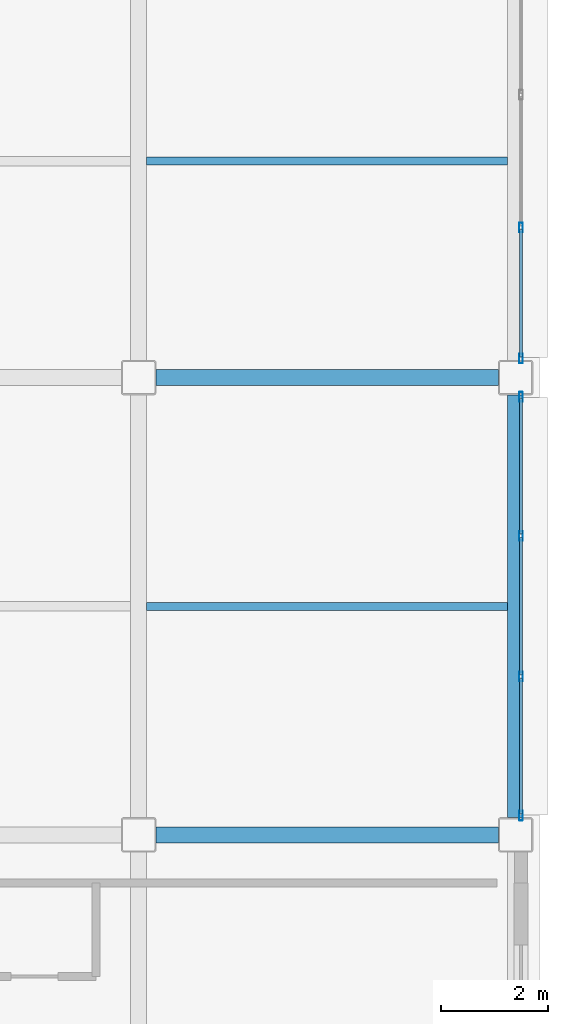
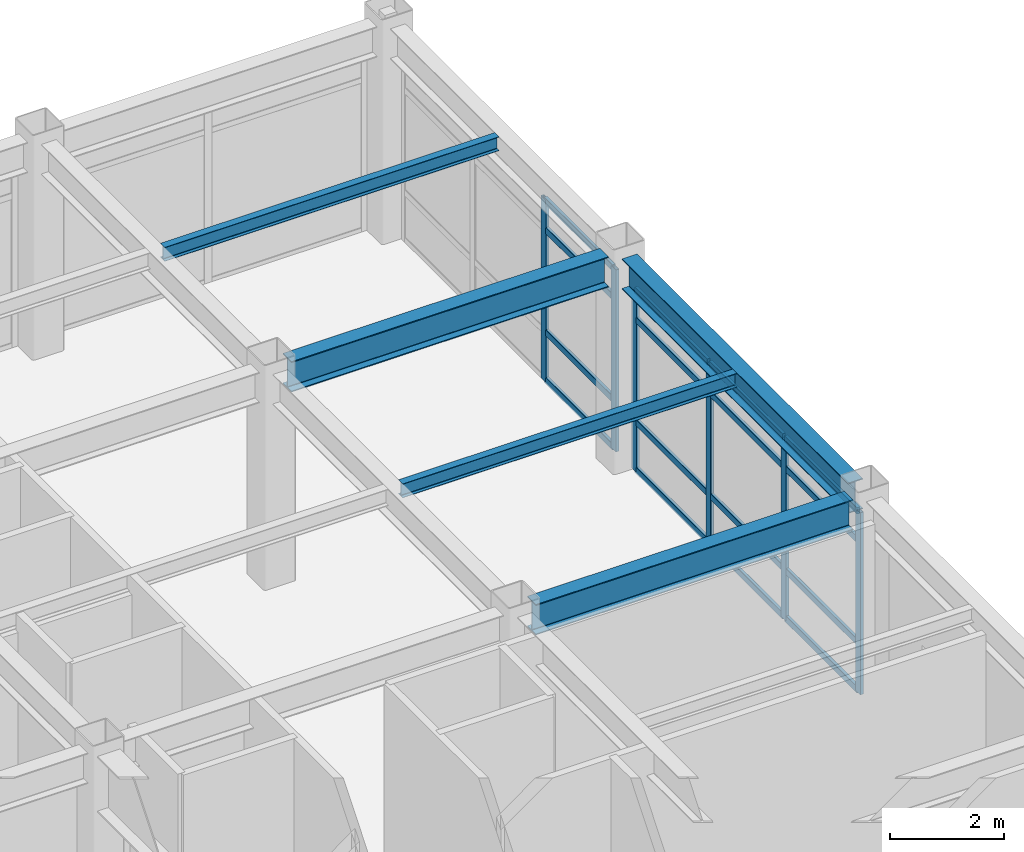
# One storey, part 63 of 93: 22 members, 5 beams, 2 elements without a shape of their own.
"""IFC4 building model written with IfcOpenShell, lengths in metres."""

import ifcopenshell
import ifcopenshell.guid

model = None  # the IFC model being written
_history = None  # IfcOwnerHistory: only IFC2X3 demands one
_inside = {}  # id of a spatial element -> (the spatial element, [elements in it])
_under = {}  # id of a project, library or spatial element -> (it, [spatial elements below it])
_declared = {}  # id of a project -> (the project, [libraries it declares])
_typed = {}  # id of a type object -> (the type object, [elements of that type])
_made_of = {}  # id of a material, layer set ... -> (it, [elements and type objects made of it])


def new_model(schema):
    """Start an empty IFC model of exactly this schema.

    Asked for "IFC4X3", IfcOpenShell would pick the latest addendum, in which some entities
    have other attributes; the version numbers below select the first issue.
    IFC2X3 requires an IfcOwnerHistory on every rooted entity: one is made here for all.
    """
    global model, _history
    if schema == "IFC4X3":
        model = ifcopenshell.file(schema_version=(4, 3, 0, 0))
    else:
        model = ifcopenshell.file(schema=schema)
    _inside.clear()
    _under.clear()
    _declared.clear()
    _typed.clear()
    _made_of.clear()
    _history = None
    if model.schema == "IFC2X3":
        org = make("IfcOrganization", Name="unknown")
        user = make(
            "IfcPersonAndOrganization",
            ThePerson=make("IfcPerson", FamilyName="unknown"),
            TheOrganization=org,
        )
        app = make(
            "IfcApplication",
            ApplicationDeveloper=org,
            Version="unknown",
            ApplicationFullName="unknown",
            ApplicationIdentifier="unknown",
        )
        _history = make(
            "IfcOwnerHistory",
            OwningUser=user,
            OwningApplication=app,
            ChangeAction="ADDED",
            CreationDate=0,
        )
    return model


def make(cls, **values):
    """One entity of the class cls with the attributes given. An attribute that is None is left unset."""
    return model.create_entity(
        cls, **{name: value for name, value in values.items() if value is not None}
    )


def rooted(cls, **values):
    """An entity with a GlobalId (a new one), such as an element, a storey or a relation."""
    return make(cls, GlobalId=ifcopenshell.guid.new(), OwnerHistory=_history, **values)


def si_unit(unit_type, name, prefix=None):
    """IfcSIUnit, for example si_unit("LENGTHUNIT", "METRE", prefix="MILLI")."""
    return make("IfcSIUnit", UnitType=unit_type, Prefix=prefix, Name=name)


def assignment(units):
    """IfcUnitAssignment: the units of a project."""
    return None if units is None else make("IfcUnitAssignment", Units=units)


def point(xyz):
    """IfcCartesianPoint."""
    return None if xyz is None else make("IfcCartesianPoint", Coordinates=xyz)


def direction(xyz):
    """IfcDirection."""
    return None if xyz is None else make("IfcDirection", DirectionRatios=xyz)


def frame(location, z_axis=None, x_axis=None):
    """IfcAxis2Placement3D, a coordinate frame: its origin and axes. An axis left out is left unset."""
    return make(
        "IfcAxis2Placement3D",
        Location=point(location),
        Axis=direction(z_axis),
        RefDirection=direction(x_axis),
    )


def frame_2d(location, x_axis=None):
    """IfcAxis2Placement2D, a coordinate frame in the plane: its origin and x axis."""
    return make(
        "IfcAxis2Placement2D", Location=point(location), RefDirection=direction(x_axis)
    )


def origin():
    """The frame at (0, 0, 0) with its axes left unset."""
    return frame((0.0, 0.0, 0.0))


def origin_2d():
    """The frame at (0, 0) in the plane with its x axis left unset."""
    return frame_2d((0.0, 0.0))


def place(relative_to, where):
    """IfcLocalPlacement: puts the frame where relative to a parent placement (None: the world)."""
    return make(
        "IfcLocalPlacement", PlacementRelTo=relative_to, RelativePlacement=where
    )


def context(
    kind, dimensions, precision=None, world=None, true_north=None, identifier=None
):
    """IfcGeometricRepresentationContext, for example the 3D "Model" context."""
    return make(
        "IfcGeometricRepresentationContext",
        ContextIdentifier=identifier,
        ContextType=kind,
        CoordinateSpaceDimension=dimensions,
        Precision=precision,
        WorldCoordinateSystem=world,
        TrueNorth=true_north,
    )


def subcontext(parent, identifier, kind, view, scale=None):
    """IfcGeometricRepresentationSubContext, for example "Body" below "Model"."""
    return make(
        "IfcGeometricRepresentationSubContext",
        ContextIdentifier=identifier,
        ContextType=kind,
        ParentContext=parent,
        TargetScale=scale,
        TargetView=view,
    )


def project(units=None, contexts=None):
    """IfcProject with its units and contexts."""
    return rooted(
        "IfcProject",
        Name="project",
        RepresentationContexts=contexts,
        UnitsInContext=assignment(units),
    )


def spatial(cls, under=None, at=None, **own):
    """A site, building, storey or space (cls), placed at a placement, below another one or the project."""
    s = rooted(cls, ObjectPlacement=at, **own)
    if under is not None:
        _under.setdefault(under.id(), (under, []))[1].append(s)
    return s


def profile(cls, at=None, kind="AREA", **sizes):
    """A parametric profile (cls). Its sizes go by their IFC names, for example OverallWidth=200.0."""
    return make(cls, ProfileType=kind, Position=at, **sizes)


def hollow_rectangle(**sizes):
    """IfcRectangleHollowProfileDef."""
    return profile("IfcRectangleHollowProfileDef", **sizes)


def i_section(**sizes):
    """IfcIShapeProfileDef."""
    return profile("IfcIShapeProfileDef", **sizes)


def extrude(swept, where, along, depth):
    """IfcExtrudedAreaSolid: the profile swept, set in the frame where, extruded along a direction by depth."""
    return make(
        "IfcExtrudedAreaSolid",
        SweptArea=swept,
        Position=where,
        ExtrudedDirection=direction(along),
        Depth=depth,
    )


def shape(context_of_items, identifier, shape_type, items):
    """IfcShapeRepresentation: the items that make up one representation, for example the "Body"."""
    return make(
        "IfcShapeRepresentation",
        ContextOfItems=context_of_items,
        RepresentationIdentifier=identifier,
        RepresentationType=shape_type,
        Items=items,
    )


def material(Name=None, Category=None):
    """IfcMaterial."""
    return make("IfcMaterial", Name=Name, Category=Category)


def layer(
    of_material, thickness, ventilated=None, Name=None, Category=None, Priority=None
):
    """IfcMaterialLayer: one layer of a wall or slab, of a material (None: an air gap)."""
    return make(
        "IfcMaterialLayer",
        Material=of_material,
        LayerThickness=thickness,
        IsVentilated=ventilated,
        Name=Name,
        Category=Category,
        Priority=Priority,
    )


def layer_set(layers, Name=None):
    """IfcMaterialLayerSet."""
    return make("IfcMaterialLayerSet", MaterialLayers=layers, LayerSetName=Name)


def material_profile(
    of_material, cross_section, Name=None, Category=None, Priority=None
):
    """IfcMaterialProfile: a cross section and its material."""
    return make(
        "IfcMaterialProfile",
        Name=Name,
        Material=of_material,
        Profile=cross_section,
        Priority=Priority,
        Category=Category,
    )


def profile_set(profiles, Name=None, composite=None):
    """IfcMaterialProfileSet."""
    return make(
        "IfcMaterialProfileSet",
        Name=Name,
        MaterialProfiles=profiles,
        CompositeProfile=composite,
    )


def made_of(thing, what):
    """Note that an element or type object is made of a material, layer set ...; save() writes the relation."""
    if what is not None:
        _made_of.setdefault(what.id(), (what, []))[1].append(thing)
    return thing


def type_object(cls, material=None, **own):
    """A type object (cls), such as IfcWallType, which elements share."""
    return made_of(rooted(cls, **own), material)


def element(
    cls,
    number,
    at=None,
    inside=None,
    cuts=None,
    type_object=None,
    material=None,
    context=None,
    identifier="Body",
    shape_type=None,
    held_by="IfcProductDefinitionShape",
    body=None,
    shapes=None,
    **own,
):
    """One element of the class cls, such as IfcWall. Its Tag is "e" and its number.

    at: its placement. inside: the storey or other place that contains it. cuts: it is an
    opening in that element (IfcRelVoidsElement). A single representation is given by context,
    identifier, shape_type and body (its items); several are given by shapes. held_by: the class
    of the entity that holds the representations. save() writes the other relations.
    """
    e = rooted(cls, Tag="e%d" % number, ObjectPlacement=at, **own)
    if body is not None:
        shapes = [shape(context, identifier, shape_type, body)]
    if shapes is not None:
        e.Representation = make(held_by, Representations=shapes)
    if inside is not None:
        _inside.setdefault(inside.id(), (inside, []))[1].append(e)
    if cuts is not None:
        rooted(
            "IfcRelVoidsElement", RelatingBuildingElement=cuts, RelatedOpeningElement=e
        )
    if type_object is not None:
        _typed.setdefault(type_object.id(), (type_object, []))[1].append(e)
    return made_of(e, material)


def aggregate(whole, parts):
    """IfcRelAggregates: a whole, such as a stair, and the parts it consists of."""
    return rooted("IfcRelAggregates", RelatingObject=whole, RelatedObjects=parts)


def save(model, path):
    """Write the relations noted so far, then the file.

    IfcRelAggregates (storeys below a building ...), IfcRelContainedInSpatialStructure (elements
    in a storey), IfcRelDefinesByType, IfcRelAssociatesMaterial and IfcRelDeclares: one each for
    every whole, place, type object, material and project.
    """
    for whole, parts in _under.values():
        aggregate(whole, parts)
    for where, things in _inside.values():
        rooted(
            "IfcRelContainedInSpatialStructure",
            RelatedElements=things,
            RelatingStructure=where,
        )
    for kind, things in _typed.values():
        rooted("IfcRelDefinesByType", RelatedObjects=things, RelatingType=kind)
    for what, things in _made_of.values():
        rooted("IfcRelAssociatesMaterial", RelatedObjects=things, RelatingMaterial=what)
    for by, libraries in _declared.values():
        rooted("IfcRelDeclares", RelatingContext=by, RelatedDefinitions=libraries)
    model.write(path)


model = new_model("IFC4")

# Units and contexts
model_context = context("Model", 3, precision=1e-05, world=origin(), true_north=direction((0.0, 1.0)))
body_context = subcontext(model_context, "Body", "Model", "MODEL_VIEW")
ifc_project = project(units=[si_unit("LENGTHUNIT", "METRE"), si_unit("AREAUNIT", "SQUARE_METRE"), si_unit("VOLUMEUNIT", "CUBIC_METRE"), si_unit("PLANEANGLEUNIT", "RADIAN"), si_unit("MASSUNIT", "GRAM", prefix="KILO")], contexts=[model_context])

# Site, building, storey
site_placement = place(None, origin())
site = spatial("IfcSite", under=ifc_project, at=site_placement, CompositionType="ELEMENT")
building_placement = place(site_placement, origin())
building = spatial("IfcBuilding", under=site, at=building_placement, Name="Kazehara Bluff Congress Hotel", CompositionType="ELEMENT")
storey_placement = place(building_placement, frame((0.0, 0.0, 15.0)))
storey = spatial("IfcBuildingStorey", under=building, at=storey_placement, Name="L03", CompositionType="ELEMENT", Elevation=15.0)

# Curtain wall, members
ifc_material_1 = material(Name="Anodised aluminium", Category="aluminium")
ifc_layer_1 = layer(ifc_material_1, 0.159912109375)
ifc_layer_set_1 = layer_set([ifc_layer_1], Name="Anodised aluminium")
curtain_wall_type_1 = type_object("IfcCurtainWallType", Name="TP-CW-147", PredefinedType="NOTDEFINED", material=ifc_layer_set_1)
curtain_wall_1_placement = place(storey_placement, origin())
curtain_wall_1 = element("IfcCurtainWall", 1, at=curtain_wall_1_placement, inside=storey, type_object=curtain_wall_type_1, Name="L03 curtain wall CW-147 CW-ENC-V5-L03-16765-10118", PredefinedType="NOTDEFINED")
ifc_material_2 = material(Name="Anodised aluminium", Category="aluminium")
ifc_material_profile_1 = material_profile(ifc_material_2, hollow_rectangle(XDim=0.06494140625, YDim=0.179931640625, WallThickness=0.00390625, InnerFilletRadius=0.00390625, OuterFilletRadius=0.008056640625, at=origin_2d()))
ifc_profile_set_1 = profile_set([ifc_material_profile_1], Name="Anodised aluminium")
member_type_1 = type_object("IfcMemberType", Name="TP-CWM-02", PredefinedType="MULLION", material=ifc_profile_set_1)
member_1_placement = place(storey_placement, frame((167.64990234375, 105.092529296875, 0.0), z_axis=(0.0, 0.0, 1.0), x_axis=(1.0, 0.0, 0.0)))
member_1 = element("IfcMember", 2, at=member_1_placement, type_object=member_type_1, Name="CW-147 mullion 1", PredefinedType="MULLION", context=body_context, shape_type="SweptSolid", body=[
    extrude(hollow_rectangle(XDim=0.06494140625, YDim=0.179931640625, WallThickness=0.00390625, InnerFilletRadius=0.00390625, OuterFilletRadius=0.008056640625, at=origin_2d()), origin(), (0.0, 0.0, 1.0), 3.885009765625),
])
member_2_placement = place(storey_placement, frame((167.64990234375, 102.49169921875, 0.0), z_axis=(0.0, 0.0, 1.0), x_axis=(1.0, 0.0, 0.0)))
member_2 = element("IfcMember", 3, at=member_2_placement, type_object=member_type_1, Name="CW-147 mullion 2", PredefinedType="MULLION", context=body_context, shape_type="SweptSolid", body=[
    extrude(hollow_rectangle(XDim=0.06494140625, YDim=0.179931640625, WallThickness=0.00390625, InnerFilletRadius=0.00390625, OuterFilletRadius=0.008056640625, at=origin_2d()), origin(), (0.0, 0.0, 1.0), 3.885009765625),
])
member_3_placement = place(storey_placement, frame((167.64990234375, 99.8583984375, 0.0), z_axis=(0.0, 0.0, 1.0), x_axis=(1.0, 0.0, 0.0)))
member_3 = element("IfcMember", 4, at=member_3_placement, type_object=member_type_1, Name="CW-147 mullion 3", PredefinedType="MULLION", context=body_context, shape_type="SweptSolid", body=[
    extrude(hollow_rectangle(XDim=0.06494140625, YDim=0.179931640625, WallThickness=0.00390625, InnerFilletRadius=0.00390625, OuterFilletRadius=0.008056640625, at=origin_2d()), origin(), (0.0, 0.0, 1.0), 3.885009765625),
])
member_4_placement = place(storey_placement, frame((167.64990234375, 97.257568359375, 0.0), z_axis=(0.0, 0.0, 1.0), x_axis=(1.0, 0.0, 0.0)))
member_4 = element("IfcMember", 5, at=member_4_placement, type_object=member_type_1, Name="CW-147 mullion 4", PredefinedType="MULLION", context=body_context, shape_type="SweptSolid", body=[
    extrude(hollow_rectangle(XDim=0.06494140625, YDim=0.179931640625, WallThickness=0.00390625, InnerFilletRadius=0.00390625, OuterFilletRadius=0.008056640625, at=origin_2d()), origin(), (0.0, 0.0, 1.0), 3.885009765625),
])

ifc_material_3 = material(Name="Anodised aluminium", Category="aluminium")
ifc_layer_2 = layer(ifc_material_3, 0.159912109375)
ifc_layer_set_2 = layer_set([ifc_layer_2], Name="Anodised aluminium")
curtain_wall_type_2 = type_object("IfcCurtainWallType", Name="TP-CW-140", PredefinedType="NOTDEFINED", material=ifc_layer_set_2)
curtain_wall_2_placement = place(storey_placement, origin())
curtain_wall_2 = element("IfcCurtainWall", 6, at=curtain_wall_2_placement, inside=storey, type_object=curtain_wall_type_2, Name="L03 curtain wall CW-140 CW-ENC-V5-L03-16765-10950", PredefinedType="NOTDEFINED")
member_5_placement = place(storey_placement, frame((167.64990234375, 108.25830078125, 0.0), z_axis=(0.0, 0.0, 1.0), x_axis=(1.0, 0.0, 0.0)))
member_5 = element("IfcMember", 7, at=member_5_placement, type_object=member_type_1, Name="CW-140 mullion 3", PredefinedType="MULLION", context=body_context, shape_type="SweptSolid", body=[
    extrude(hollow_rectangle(XDim=0.06494140625, YDim=0.179931640625, WallThickness=0.00390625, InnerFilletRadius=0.00390625, OuterFilletRadius=0.008056640625, at=origin_2d()), origin(), (0.0, 0.0, 1.0), 3.885009765625),
])
member_6_placement = place(storey_placement, frame((167.64990234375, 105.8076171875, 0.0), z_axis=(0.0, 0.0, 1.0), x_axis=(1.0, 0.0, 0.0)))
member_6 = element("IfcMember", 8, at=member_6_placement, type_object=member_type_1, Name="CW-140 mullion 4", PredefinedType="MULLION", context=body_context, shape_type="SweptSolid", body=[
    extrude(hollow_rectangle(XDim=0.06494140625, YDim=0.179931640625, WallThickness=0.00390625, InnerFilletRadius=0.00390625, OuterFilletRadius=0.008056640625, at=origin_2d()), origin(), (0.0, 0.0, 1.0), 3.885009765625),
])

# Member
ifc_material_4 = material(Name="Anodised aluminium", Category="aluminium")
ifc_material_profile_2 = material_profile(ifc_material_4, hollow_rectangle(XDim=0.06494140625, YDim=0.139892578125, WallThickness=0.00390625, InnerFilletRadius=0.00390625, OuterFilletRadius=0.008056640625, at=origin_2d()))
ifc_profile_set_2 = profile_set([ifc_material_profile_2], Name="Anodised aluminium")
member_type_2 = type_object("IfcMemberType", Name="TP-CWT-02", PredefinedType="USERDEFINED", material=ifc_profile_set_2)
member_7_placement = place(storey_placement, frame((167.64990234375, 105.06005859375, 0.032470703125), z_axis=(0.0, -1.0, 0.0), x_axis=(1.0, 0.0, 0.0)))
member_7 = element("IfcMember", 9, at=member_7_placement, type_object=member_type_2, Name="CW-147 transom 1.1", ObjectType="TRANSOM", PredefinedType="USERDEFINED", context=body_context, shape_type="SweptSolid", body=[
    extrude(hollow_rectangle(XDim=0.06494140625, YDim=0.139892578125, WallThickness=0.00390625, InnerFilletRadius=0.00390625, OuterFilletRadius=0.008056640625, at=origin_2d()), origin(), (0.0, 0.0, 1.0), 2.535888671875),
])

member_8_placement = place(storey_placement, frame((167.64990234375, 105.06005859375, 1.050048828125), z_axis=(0.0, -1.0, 0.0), x_axis=(1.0, 0.0, 0.0)))
member_8 = element("IfcMember", 10, at=member_8_placement, type_object=member_type_2, Name="CW-147 transom 1.2", ObjectType="TRANSOM", PredefinedType="USERDEFINED", context=body_context, shape_type="SweptSolid", body=[
    extrude(hollow_rectangle(XDim=0.06494140625, YDim=0.139892578125, WallThickness=0.00390625, InnerFilletRadius=0.00390625, OuterFilletRadius=0.008056640625, at=origin_2d()), origin(), (0.0, 0.0, 1.0), 2.535888671875),
])

member_9_placement = place(storey_placement, frame((167.64990234375, 105.06005859375, 3.235107421875), z_axis=(0.0, -1.0, 0.0), x_axis=(1.0, 0.0, 0.0)))
member_9 = element("IfcMember", 11, at=member_9_placement, type_object=member_type_2, Name="CW-147 transom 1.3", ObjectType="TRANSOM", PredefinedType="USERDEFINED", context=body_context, shape_type="SweptSolid", body=[
    extrude(hollow_rectangle(XDim=0.06494140625, YDim=0.139892578125, WallThickness=0.00390625, InnerFilletRadius=0.00390625, OuterFilletRadius=0.008056640625, at=origin_2d()), origin(), (0.0, 0.0, 1.0), 2.535888671875),
])

member_10_placement = place(storey_placement, frame((167.64990234375, 105.06005859375, 3.8525390625), z_axis=(0.0, -1.0, 0.0), x_axis=(1.0, 0.0, 0.0)))
member_10 = element("IfcMember", 12, at=member_10_placement, type_object=member_type_2, Name="CW-147 transom 1.4", ObjectType="TRANSOM", PredefinedType="USERDEFINED", context=body_context, shape_type="SweptSolid", body=[
    extrude(hollow_rectangle(XDim=0.06494140625, YDim=0.139892578125, WallThickness=0.00390625, InnerFilletRadius=0.00390625, OuterFilletRadius=0.008056640625, at=origin_2d()), origin(), (0.0, 0.0, 1.0), 2.535888671875),
])

member_11_placement = place(storey_placement, frame((167.64990234375, 102.459228515625, 0.032470703125), z_axis=(0.0, -1.0, 0.0), x_axis=(1.0, 0.0, 0.0)))
member_11 = element("IfcMember", 13, at=member_11_placement, type_object=member_type_2, Name="CW-147 transom 2.1", ObjectType="TRANSOM", PredefinedType="USERDEFINED", context=body_context, shape_type="SweptSolid", body=[
    extrude(hollow_rectangle(XDim=0.06494140625, YDim=0.139892578125, WallThickness=0.00390625, InnerFilletRadius=0.00390625, OuterFilletRadius=0.008056640625, at=origin_2d()), origin(), (0.0, 0.0, 1.0), 2.568359375),
])

member_12_placement = place(storey_placement, frame((167.64990234375, 102.459228515625, 1.050048828125), z_axis=(0.0, -1.0, 0.0), x_axis=(1.0, 0.0, 0.0)))
member_12 = element("IfcMember", 14, at=member_12_placement, type_object=member_type_2, Name="CW-147 transom 2.2", ObjectType="TRANSOM", PredefinedType="USERDEFINED", context=body_context, shape_type="SweptSolid", body=[
    extrude(hollow_rectangle(XDim=0.06494140625, YDim=0.139892578125, WallThickness=0.00390625, InnerFilletRadius=0.00390625, OuterFilletRadius=0.008056640625, at=origin_2d()), origin(), (0.0, 0.0, 1.0), 2.568359375),
])

member_13_placement = place(storey_placement, frame((167.64990234375, 102.459228515625, 3.235107421875), z_axis=(0.0, -1.0, 0.0), x_axis=(1.0, 0.0, 0.0)))
member_13 = element("IfcMember", 15, at=member_13_placement, type_object=member_type_2, Name="CW-147 transom 2.3", ObjectType="TRANSOM", PredefinedType="USERDEFINED", context=body_context, shape_type="SweptSolid", body=[
    extrude(hollow_rectangle(XDim=0.06494140625, YDim=0.139892578125, WallThickness=0.00390625, InnerFilletRadius=0.00390625, OuterFilletRadius=0.008056640625, at=origin_2d()), origin(), (0.0, 0.0, 1.0), 2.568359375),
])

member_14_placement = place(storey_placement, frame((167.64990234375, 102.459228515625, 3.8525390625), z_axis=(0.0, -1.0, 0.0), x_axis=(1.0, 0.0, 0.0)))
member_14 = element("IfcMember", 16, at=member_14_placement, type_object=member_type_2, Name="CW-147 transom 2.4", ObjectType="TRANSOM", PredefinedType="USERDEFINED", context=body_context, shape_type="SweptSolid", body=[
    extrude(hollow_rectangle(XDim=0.06494140625, YDim=0.139892578125, WallThickness=0.00390625, InnerFilletRadius=0.00390625, OuterFilletRadius=0.008056640625, at=origin_2d()), origin(), (0.0, 0.0, 1.0), 2.568359375),
])

member_15_placement = place(storey_placement, frame((167.64990234375, 99.825927734375, 0.032470703125), z_axis=(0.0, -1.0, 0.0), x_axis=(1.0, 0.0, 0.0)))
member_15 = element("IfcMember", 17, at=member_15_placement, type_object=member_type_2, Name="CW-147 transom 3.1", ObjectType="TRANSOM", PredefinedType="USERDEFINED", context=body_context, shape_type="SweptSolid", body=[
    extrude(hollow_rectangle(XDim=0.06494140625, YDim=0.139892578125, WallThickness=0.00390625, InnerFilletRadius=0.00390625, OuterFilletRadius=0.008056640625, at=origin_2d()), origin(), (0.0, 0.0, 1.0), 2.535888671875),
])

member_16_placement = place(storey_placement, frame((167.64990234375, 99.825927734375, 1.050048828125), z_axis=(0.0, -1.0, 0.0), x_axis=(1.0, 0.0, 0.0)))
member_16 = element("IfcMember", 18, at=member_16_placement, type_object=member_type_2, Name="CW-147 transom 3.2", ObjectType="TRANSOM", PredefinedType="USERDEFINED", context=body_context, shape_type="SweptSolid", body=[
    extrude(hollow_rectangle(XDim=0.06494140625, YDim=0.139892578125, WallThickness=0.00390625, InnerFilletRadius=0.00390625, OuterFilletRadius=0.008056640625, at=origin_2d()), origin(), (0.0, 0.0, 1.0), 2.535888671875),
])

member_17_placement = place(storey_placement, frame((167.64990234375, 99.825927734375, 3.235107421875), z_axis=(0.0, -1.0, 0.0), x_axis=(1.0, 0.0, 0.0)))
member_17 = element("IfcMember", 19, at=member_17_placement, type_object=member_type_2, Name="CW-147 transom 3.3", ObjectType="TRANSOM", PredefinedType="USERDEFINED", context=body_context, shape_type="SweptSolid", body=[
    extrude(hollow_rectangle(XDim=0.06494140625, YDim=0.139892578125, WallThickness=0.00390625, InnerFilletRadius=0.00390625, OuterFilletRadius=0.008056640625, at=origin_2d()), origin(), (0.0, 0.0, 1.0), 2.535888671875),
])

member_18_placement = place(storey_placement, frame((167.64990234375, 99.825927734375, 3.8525390625), z_axis=(0.0, -1.0, 0.0), x_axis=(1.0, 0.0, 0.0)))
member_18 = element("IfcMember", 20, at=member_18_placement, type_object=member_type_2, Name="CW-147 transom 3.4", ObjectType="TRANSOM", PredefinedType="USERDEFINED", context=body_context, shape_type="SweptSolid", body=[
    extrude(hollow_rectangle(XDim=0.06494140625, YDim=0.139892578125, WallThickness=0.00390625, InnerFilletRadius=0.00390625, OuterFilletRadius=0.008056640625, at=origin_2d()), origin(), (0.0, 0.0, 1.0), 2.535888671875),
])

aggregate(curtain_wall_1, [member_1, member_2, member_3, member_4, member_7, member_8, member_9, member_10, member_11, member_12, member_13, member_14, member_15, member_16, member_17, member_18])

member_19_placement = place(storey_placement, frame((167.64990234375, 108.225830078125, 0.032470703125), z_axis=(0.0, -1.0, 0.0), x_axis=(1.0, 0.0, 0.0)))
member_19 = element("IfcMember", 21, at=member_19_placement, type_object=member_type_2, Name="CW-140 transom 3.1", ObjectType="TRANSOM", PredefinedType="USERDEFINED", context=body_context, shape_type="SweptSolid", body=[
    extrude(hollow_rectangle(XDim=0.06494140625, YDim=0.139892578125, WallThickness=0.00390625, InnerFilletRadius=0.00390625, OuterFilletRadius=0.008056640625, at=origin_2d()), origin(), (0.0, 0.0, 1.0), 2.3857421875),
])

member_20_placement = place(storey_placement, frame((167.64990234375, 108.225830078125, 1.050048828125), z_axis=(0.0, -1.0, 0.0), x_axis=(1.0, 0.0, 0.0)))
member_20 = element("IfcMember", 22, at=member_20_placement, type_object=member_type_2, Name="CW-140 transom 3.2", ObjectType="TRANSOM", PredefinedType="USERDEFINED", context=body_context, shape_type="SweptSolid", body=[
    extrude(hollow_rectangle(XDim=0.06494140625, YDim=0.139892578125, WallThickness=0.00390625, InnerFilletRadius=0.00390625, OuterFilletRadius=0.008056640625, at=origin_2d()), origin(), (0.0, 0.0, 1.0), 2.3857421875),
])

member_21_placement = place(storey_placement, frame((167.64990234375, 108.225830078125, 3.235107421875), z_axis=(0.0, -1.0, 0.0), x_axis=(1.0, 0.0, 0.0)))
member_21 = element("IfcMember", 23, at=member_21_placement, type_object=member_type_2, Name="CW-140 transom 3.3", ObjectType="TRANSOM", PredefinedType="USERDEFINED", context=body_context, shape_type="SweptSolid", body=[
    extrude(hollow_rectangle(XDim=0.06494140625, YDim=0.139892578125, WallThickness=0.00390625, InnerFilletRadius=0.00390625, OuterFilletRadius=0.008056640625, at=origin_2d()), origin(), (0.0, 0.0, 1.0), 2.3857421875),
])

member_22_placement = place(storey_placement, frame((167.64990234375, 108.225830078125, 3.8525390625), z_axis=(0.0, -1.0, 0.0), x_axis=(1.0, 0.0, 0.0)))
member_22 = element("IfcMember", 24, at=member_22_placement, type_object=member_type_2, Name="CW-140 transom 3.4", ObjectType="TRANSOM", PredefinedType="USERDEFINED", context=body_context, shape_type="SweptSolid", body=[
    extrude(hollow_rectangle(XDim=0.06494140625, YDim=0.139892578125, WallThickness=0.00390625, InnerFilletRadius=0.00390625, OuterFilletRadius=0.008056640625, at=origin_2d()), origin(), (0.0, 0.0, 1.0), 2.3857421875),
])

aggregate(curtain_wall_2, [member_5, member_6, member_19, member_20, member_21, member_22])

# Beams
ifc_material_5 = material(Name="Steel SN490B", Category="steel")
ifc_material_profile_3 = material_profile(ifc_material_5, i_section(OverallWidth=0.300048828125, OverallDepth=0.64990234375, WebThickness=0.011962890625, FlangeThickness=0.02001953125, FilletRadius=0.012939453125, at=origin_2d()))
ifc_profile_set_3 = profile_set([ifc_material_profile_3], Name="Steel SN490B")
beam_type_1 = type_object("IfcBeamType", Name="TP-G-03", PredefinedType="BEAM", material=ifc_profile_set_3)
beam_placement = place(storey_placement, frame((167.550048828125, 97.22509765625, 4.235107421875), z_axis=(0.0, 1.0, 0.0), x_axis=(-1.0, 0.0, 0.0)))
element("IfcBeam", 25, at=beam_placement, inside=storey, type_object=beam_type_1, Name="L03 girder G-03 149", PredefinedType="BEAM", context=body_context, shape_type="SweptSolid", body=[
    extrude(i_section(OverallWidth=0.300048828125, OverallDepth=0.64990234375, WebThickness=0.011962890625, FlangeThickness=0.02001953125, FilletRadius=0.012939453125, at=origin_2d()), origin(), (0.0, 0.0, 1.0), 7.89990234375),
])
for number, where, z_axis, x_axis, name in (
    (26, (160.824951171875, 96.89990234375, 4.235107421875), (1.0, 0.0, 0.0), (0.0, 1.0, 0.0), "L03 girder G-03 192"),
    (27, (160.824951171875, 105.449951171875, 4.235107421875), (1.0, 0.0, 0.0), (0.0, 1.0, 0.0), "L03 girder G-03 195"),
):
    element("IfcBeam", number, at=place(storey_placement, frame(where, z_axis=z_axis, x_axis=x_axis)), inside=storey, type_object=beam_type_1, Name=name, PredefinedType="BEAM", context=body_context, shape_type="SweptSolid", body=[
        extrude(i_section(OverallWidth=0.300048828125, OverallDepth=0.64990234375, WebThickness=0.011962890625, FlangeThickness=0.02001953125, FilletRadius=0.012939453125, at=origin_2d()), origin(), (0.0, 0.0, 1.0), 6.400146484375),
    ])
ifc_material_6 = material(Name="Steel SN400B", Category="steel")
ifc_material_profile_4 = material_profile(ifc_material_6, i_section(OverallWidth=0.14990234375, OverallDepth=0.300048828125, WebThickness=0.006591796875, FlangeThickness=0.009033203125, FilletRadius=0.012939453125, at=origin_2d()))
ifc_profile_set_4 = profile_set([ifc_material_profile_4], Name="Steel SN400B")
beam_type_2 = type_object("IfcBeamType", Name="TP-J-01", PredefinedType="JOIST", material=ifc_profile_set_4)
for number, where, z_axis, x_axis, name in (
    (28, (160.64990234375, 101.175048828125, 4.409912109375), (1.0, 0.0, 0.0), (0.0, 1.0, 0.0), "L03 secondary joist J-01 47"),
    (29, (160.64990234375, 109.5, 4.409912109375), (1.0, 0.0, 0.0), (0.0, 1.0, 0.0), "L03 secondary joist J-01 48"),
):
    element("IfcBeam", number, at=place(storey_placement, frame(where, z_axis=z_axis, x_axis=x_axis)), inside=storey, type_object=beam_type_2, Name=name, PredefinedType="JOIST", context=body_context, shape_type="SweptSolid", body=[
        extrude(i_section(OverallWidth=0.14990234375, OverallDepth=0.300048828125, WebThickness=0.006591796875, FlangeThickness=0.009033203125, FilletRadius=0.012939453125, at=origin_2d()), origin(), (0.0, 0.0, 1.0), 6.75),
    ])

save(model, "model.ifc")
